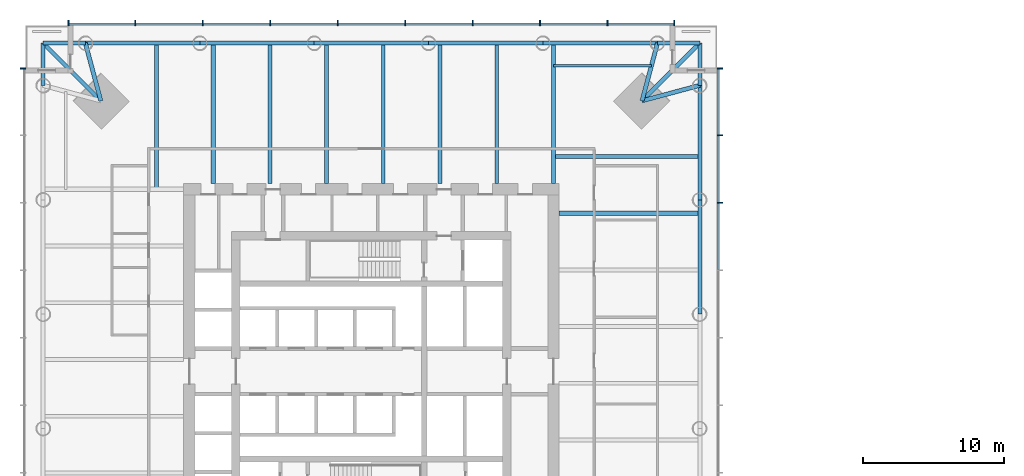
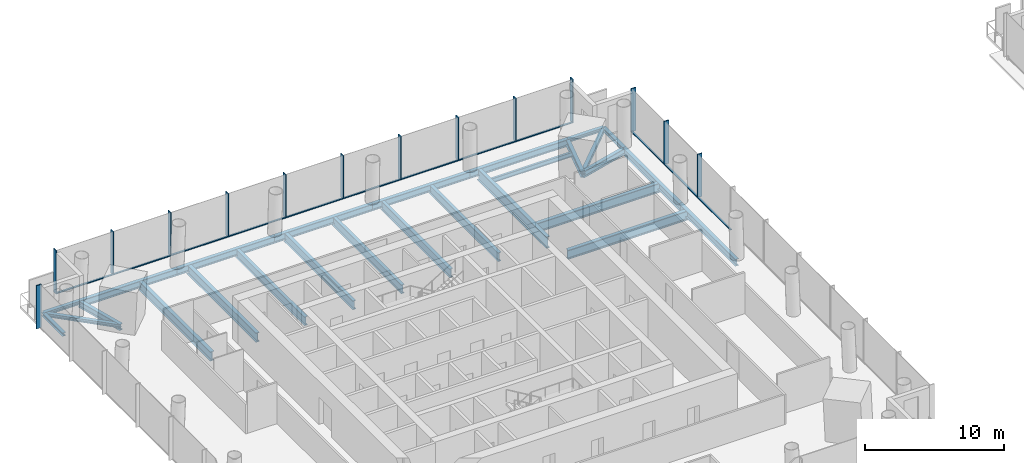
# One storey, part 4 of 21: 27 beams, 26 members, 3 elements without a shape of their own.
"""IFC4 building model written with IfcOpenShell, lengths in metres."""

from ifc_helpers import new_model, si_unit, direction, frame, origin, origin_2d, place, context, subcontext, project, spatial, rectangle, i_section, extrude, material, material_profile, profile_set, type_object, element, aggregate, save


model = new_model("IFC4")

# Units and contexts
model_context = context("Model", 3, precision=1e-05, world=origin(), true_north=direction((0.0, 1.0)))
body_context = subcontext(model_context, "Body", "Model", "MODEL_VIEW")
ifc_project = project(units=[si_unit("LENGTHUNIT", "METRE"), si_unit("AREAUNIT", "SQUARE_METRE"), si_unit("VOLUMEUNIT", "CUBIC_METRE"), si_unit("PLANEANGLEUNIT", "RADIAN"), si_unit("MASSUNIT", "GRAM", prefix="KILO")], contexts=[model_context])

# Site, building, storey
site_placement = place(None, origin())
site = spatial("IfcSite", under=ifc_project, at=site_placement, CompositionType="ELEMENT")
building_placement = place(site_placement, origin())
building = spatial("IfcBuilding", under=site, at=building_placement, Name="Ostroluk Exchange", CompositionType="ELEMENT")
storey_placement = place(building_placement, frame((0.0, 0.0, 43.800048828125)))
storey = spatial("IfcBuildingStorey", under=building, at=storey_placement, Name="L10", CompositionType="ELEMENT", Elevation=43.800048828125)

# Beams
ifc_material_1 = material(Name="Steel S355", Category="steel")
ifc_material_profile_1 = material_profile(ifc_material_1, i_section(OverallWidth=0.300048828125, OverallDepth=0.300048828125, WebThickness=0.010986328125, FlangeThickness=0.01904296875, FilletRadius=0.027099609375, at=origin_2d()), Name="HEB 300")
ifc_profile_set_1 = profile_set([ifc_material_profile_1], Name="Steel S355")
beam_type_1 = type_object("IfcBeamType", Name="Balcony beam HEB 300", PredefinedType="BEAM", material=ifc_profile_set_1)
for number, where, z_axis, x_axis, name in (
    (1, (68.271484375, 66.271484375, -0.330078125), (0.0, 1.0, 0.0), (-1.0, 0.0, 0.0), "T1 east balcony beam a"),
    (2, (65.271484375, 69.271484375, -0.330078125), (1.0, 0.0, 0.0), (0.0, 1.0, 0.0), "T1 east balcony beam b"),
):
    element("IfcBeam", number, at=place(storey_placement, frame(where, z_axis=z_axis, x_axis=x_axis)), inside=storey, type_object=beam_type_1, Name=name, PredefinedType="BEAM", context=body_context, shape_type="SweptSolid", body=[
        extrude(i_section(OverallWidth=0.300048828125, OverallDepth=0.300048828125, WebThickness=0.010986328125, FlangeThickness=0.01904296875, FilletRadius=0.027099609375, at=origin_2d()), origin(), (0.0, 0.0, 1.0), 3.0),
    ])
beam_1_placement = place(storey_placement, frame((64.17138671875, 65.17138671875, -0.330078125), z_axis=(0.707106781187, 0.707106781187, 0.0), x_axis=(-0.707106781187, 0.707106781187, 0.0)))
element("IfcBeam", 3, at=beam_1_placement, inside=storey, type_object=beam_type_1, Name="T1 east balcony beam c", PredefinedType="BEAM", context=body_context, shape_type="SweptSolid", body=[
    extrude(i_section(OverallWidth=0.300048828125, OverallDepth=0.300048828125, WebThickness=0.010986328125, FlangeThickness=0.01904296875, FilletRadius=0.027099609375, at=origin_2d()), origin(), (0.0, 0.0, 1.0), 5.79833984375),
])
for number, where, z_axis, x_axis, name in (
    (4, (24.728515625, 69.271484375, -0.330078125), (-1.0, 0.0, 0.0), (0.0, -1.0, 0.0), "T1 north balcony beam a"),
    (5, (21.728515625, 66.271484375, -0.330078125), (0.0, 1.0, 0.0), (-1.0, 0.0, 0.0), "T1 north balcony beam b"),
):
    element("IfcBeam", number, at=place(storey_placement, frame(where, z_axis=z_axis, x_axis=x_axis)), inside=storey, type_object=beam_type_1, Name=name, PredefinedType="BEAM", context=body_context, shape_type="SweptSolid", body=[
        extrude(i_section(OverallWidth=0.300048828125, OverallDepth=0.300048828125, WebThickness=0.010986328125, FlangeThickness=0.01904296875, FilletRadius=0.027099609375, at=origin_2d()), origin(), (0.0, 0.0, 1.0), 3.0),
    ])
beam_2_placement = place(storey_placement, frame((25.82861328125, 65.17138671875, -0.330078125), z_axis=(-0.707106781187, 0.707106781187, 0.0), x_axis=(-0.707106781187, -0.707106781187, 0.0)))
element("IfcBeam", 6, at=beam_2_placement, inside=storey, type_object=beam_type_1, Name="T1 north balcony beam c", PredefinedType="BEAM", context=body_context, shape_type="SweptSolid", body=[
    extrude(i_section(OverallWidth=0.300048828125, OverallDepth=0.300048828125, WebThickness=0.010986328125, FlangeThickness=0.01904296875, FilletRadius=0.027099609375, at=origin_2d()), origin(), (0.0, 0.0, 1.0), 5.79833984375),
])
ifc_material_2 = material(Name="Steel S355", Category="steel")
ifc_material_profile_2 = material_profile(ifc_material_2, i_section(OverallWidth=0.300048828125, OverallDepth=0.550048828125, WebThickness=0.014892578125, FlangeThickness=0.029052734375, FilletRadius=0.027099609375, at=origin_2d()), Name="HEB 550")
ifc_profile_set_2 = profile_set([ifc_material_profile_2], Name="Steel S355")
beam_type_2 = type_object("IfcBeamType", Name="Corner edge beam HEB 550", PredefinedType="SPANDREL", material=ifc_profile_set_2)
for number, where, z_axis, x_axis, name in (
    (7, (64.17138671875, 65.17138671875, -0.455078125), (0.965838624319, 0.259144268261, 0.0), (-0.259144268261, 0.965838624319, 0.0), "T1 east corner edge beam a"),
    (8, (64.17138671875, 65.17138671875, -0.455078125), (0.259144268261, 0.965838624319, 0.0), (-0.965838624319, 0.259144268261, 0.0), "T1 east corner edge beam b"),
    (9, (25.82861328125, 65.17138671875, -0.455078125), (-0.259144268261, 0.965838624319, 0.0), (-0.965838624319, -0.259144268261, 0.0), "T1 north corner edge beam a"),
):
    element("IfcBeam", number, at=place(storey_placement, frame(where, z_axis=z_axis, x_axis=x_axis)), inside=storey, type_object=beam_type_2, Name=name, PredefinedType="SPANDREL", context=body_context, shape_type="SweptSolid", body=[
        extrude(i_section(OverallWidth=0.300048828125, OverallDepth=0.550048828125, WebThickness=0.014892578125, FlangeThickness=0.029052734375, FilletRadius=0.027099609375, at=origin_2d()), origin(), (0.0, 0.0, 1.0), 4.2451171875),
    ])
ifc_material_3 = material(Name="Steel S355", Category="steel")
ifc_material_profile_3 = material_profile(ifc_material_3, i_section(OverallWidth=0.302978515625, OverallDepth=0.81396484375, WebThickness=0.02099609375, FlangeThickness=0.0400390625, FilletRadius=0.030029296875, at=origin_2d()), Name="HEM 800")
ifc_profile_set_3 = profile_set([ifc_material_profile_3], Name="Steel S355")
beam_type_3 = type_object("IfcBeamType", Name="Floor beam HEM 800", PredefinedType="BEAM", material=ifc_profile_set_3)
beam_3_placement = place(storey_placement, frame((58.300048828125, 57.21435546875, -0.587158203125), z_axis=(1.0, 0.0, 0.0), x_axis=(0.0, 1.0, 0.0)))
element("IfcBeam", 10, at=beam_3_placement, inside=storey, type_object=beam_type_3, Name="T1 east floor beam 6", PredefinedType="BEAM", context=body_context, shape_type="SweptSolid", body=[
    extrude(i_section(OverallWidth=0.302978515625, OverallDepth=0.81396484375, WebThickness=0.02099609375, FlangeThickness=0.0400390625, FilletRadius=0.030029296875, at=origin_2d()), origin(), (0.0, 0.0, 1.0), 9.971435546875),
])
beam_4_placement = place(storey_placement, frame((57.89990234375, 61.2333984375, -0.587158203125), z_axis=(1.0, 0.0, 0.0), x_axis=(0.0, 1.0, 0.0)))
element("IfcBeam", 11, at=beam_4_placement, inside=storey, type_object=beam_type_3, Name="T1 east floor beam 7", PredefinedType="BEAM", context=body_context, shape_type="SweptSolid", body=[
    extrude(i_section(OverallWidth=0.302978515625, OverallDepth=0.81396484375, WebThickness=0.02099609375, FlangeThickness=0.0400390625, FilletRadius=0.030029296875, at=origin_2d()), origin(), (0.0, 0.0, 1.0), 10.37158203125),
])
beam_5_placement = place(storey_placement, frame((33.78564453125, 59.300048828125, -0.587158203125), z_axis=(0.0, 1.0, 0.0), x_axis=(-1.0, 0.0, 0.0)))
element("IfcBeam", 12, at=beam_5_placement, inside=storey, type_object=beam_type_3, Name="T1 north floor beam 6", PredefinedType="BEAM", context=body_context, shape_type="SweptSolid", body=[
    extrude(i_section(OverallWidth=0.302978515625, OverallDepth=0.81396484375, WebThickness=0.02099609375, FlangeThickness=0.0400390625, FilletRadius=0.030029296875, at=origin_2d()), origin(), (0.0, 0.0, 1.0), 9.971435546875),
])
beam_6_placement = place(storey_placement, frame((29.7666015625, 58.89990234375, -0.587158203125), z_axis=(0.0, 1.0, 0.0), x_axis=(-1.0, 0.0, 0.0)))
element("IfcBeam", 13, at=beam_6_placement, inside=storey, type_object=beam_type_3, Name="T1 north floor beam 7", PredefinedType="BEAM", context=body_context, shape_type="SweptSolid", body=[
    extrude(i_section(OverallWidth=0.302978515625, OverallDepth=0.81396484375, WebThickness=0.02099609375, FlangeThickness=0.0400390625, FilletRadius=0.030029296875, at=origin_2d()), origin(), (0.0, 0.0, 1.0), 10.37158203125),
])
ifc_material_4 = material(Name="Steel S355", Category="steel")
ifc_material_profile_4 = material_profile(ifc_material_4, i_section(OverallWidth=0.179931640625, OverallDepth=0.39990234375, WebThickness=0.008544921875, FlangeThickness=0.013427734375, FilletRadius=0.02099609375, at=origin_2d()), Name="IPE 400")
ifc_profile_set_4 = profile_set([ifc_material_profile_4], Name="Steel S355")
beam_type_4 = type_object("IfcBeamType", Name="Floor beam IPE 400", PredefinedType="BEAM", material=ifc_profile_set_4)
beam_7_placement = place(storey_placement, frame((57.89990234375, 67.67138671875, -0.380126953125), z_axis=(1.0, 0.0, 0.0), x_axis=(0.0, 1.0, 0.0)))
element("IfcBeam", 14, at=beam_7_placement, inside=storey, type_object=beam_type_4, Name="T1 east floor beam 8", PredefinedType="BEAM", context=body_context, shape_type="SweptSolid", body=[
    extrude(i_section(OverallWidth=0.179931640625, OverallDepth=0.39990234375, WebThickness=0.008544921875, FlangeThickness=0.013427734375, FilletRadius=0.02099609375, at=origin_2d()), origin(), (0.0, 0.0, 1.0), 6.942138671875),
])
ifc_material_5 = material(Name="Steel S355", Category="steel")
ifc_material_profile_5 = material_profile(ifc_material_5, i_section(OverallWidth=0.26806640625, OverallDepth=0.77001953125, WebThickness=0.015625, FlangeThickness=0.025390625, FilletRadius=0.01708984375, at=origin_2d()), Name="IPE 750x196")
ifc_profile_set_5 = profile_set([ifc_material_profile_5], Name="Steel S355")
beam_type_5 = type_object("IfcBeamType", Name="Floor beam IPE 750x196", PredefinedType="BEAM", material=ifc_profile_set_5)
for number, where, z_axis, x_axis, name in (
    (15, (53.880859375, 59.300048828125, -0.56494140625), (0.0, 1.0, 0.0), (-1.0, 0.0, 0.0), "T1 north floor beam 1"),
    (16, (49.86181640625, 59.300048828125, -0.56494140625), (0.0, 1.0, 0.0), (-1.0, 0.0, 0.0), "T1 north floor beam 2"),
    (17, (45.8427734375, 59.300048828125, -0.56494140625), (0.0, 1.0, 0.0), (-1.0, 0.0, 0.0), "T1 north floor beam 3"),
    (18, (41.82373046875, 59.300048828125, -0.56494140625), (0.0, 1.0, 0.0), (-1.0, 0.0, 0.0), "T1 north floor beam 4"),
    (19, (37.8046875, 59.300048828125, -0.56494140625), (0.0, 1.0, 0.0), (-1.0, 0.0, 0.0), "T1 north floor beam 5"),
):
    element("IfcBeam", number, at=place(storey_placement, frame(where, z_axis=z_axis, x_axis=x_axis)), inside=storey, type_object=beam_type_5, Name=name, PredefinedType="BEAM", context=body_context, shape_type="SweptSolid", body=[
        extrude(i_section(OverallWidth=0.26806640625, OverallDepth=0.77001953125, WebThickness=0.015625, FlangeThickness=0.025390625, FilletRadius=0.01708984375, at=origin_2d()), origin(), (0.0, 0.0, 1.0), 9.971435546875),
    ])
ifc_material_6 = material(Name="Steel S355", Category="steel")
ifc_material_profile_6 = material_profile(ifc_material_6, i_section(OverallWidth=0.302001953125, OverallDepth=1.008056640625, WebThickness=0.02099609375, FlangeThickness=0.0400390625, FilletRadius=0.030029296875, at=origin_2d()), Name="HEM 1000")
ifc_profile_set_6 = profile_set([ifc_material_profile_6], Name="Steel S355")
beam_type_6 = type_object("IfcBeamType", Name="Girder HEM 1000", PredefinedType="BEAM", material=ifc_profile_set_6)
beam_8_placement = place(storey_placement, frame((57.89990234375, 59.300048828125, -0.68408203125), z_axis=(0.0, 1.0, 0.0), x_axis=(-1.0, 0.0, 0.0)))
element("IfcBeam", 20, at=beam_8_placement, inside=storey, type_object=beam_type_6, Name="T1 east girder", PredefinedType="BEAM", context=body_context, shape_type="SweptSolid", body=[
    extrude(i_section(OverallWidth=0.302001953125, OverallDepth=1.008056640625, WebThickness=0.02099609375, FlangeThickness=0.0400390625, FilletRadius=0.030029296875, at=origin_2d()), origin(), (0.0, 0.0, 1.0), 9.971435546875),
])
ifc_material_7 = material(Name="Steel S355", Category="steel")
ifc_material_profile_7 = material_profile(ifc_material_7, i_section(OverallWidth=0.300048828125, OverallDepth=0.60009765625, WebThickness=0.015380859375, FlangeThickness=0.030029296875, FilletRadius=0.027099609375, at=origin_2d()), Name="HEB 600")
ifc_profile_set_7 = profile_set([ifc_material_profile_7], Name="Steel S355")
beam_type_7 = type_object("IfcBeamType", Name="Moment-connected edge beam HEB 600", PredefinedType="SPANDREL", material=ifc_profile_set_7)
for number, where, z_axis, x_axis, name in (
    (21, (68.271484375, 50.05419921875, -0.47998046875), (0.0, 1.0, 0.0), (-1.0, 0.0, 0.0), "T1 east edge beam 4"),
    (22, (68.271484375, 58.162841796875, -0.47998046875), (0.0, 1.0, 0.0), (-1.0, 0.0, 0.0), "T1 east edge beam 5"),
    (23, (65.271484375, 69.271484375, -0.47998046875), (-1.0, 0.0, 0.0), (0.0, -1.0, 0.0), "T1 north edge beam 1"),
    (24, (57.162841796875, 69.271484375, -0.47998046875), (-1.0, 0.0, 0.0), (0.0, -1.0, 0.0), "T1 north edge beam 2"),
):
    element("IfcBeam", number, at=place(storey_placement, frame(where, z_axis=z_axis, x_axis=x_axis)), inside=storey, type_object=beam_type_7, Name=name, PredefinedType="SPANDREL", context=body_context, shape_type="SweptSolid", body=[
        extrude(i_section(OverallWidth=0.300048828125, OverallDepth=0.60009765625, WebThickness=0.015380859375, FlangeThickness=0.030029296875, FilletRadius=0.027099609375, at=origin_2d()), origin(), (0.0, 0.0, 1.0), 8.108642578125),
    ])
beam_9_placement = place(storey_placement, frame((49.05419921875, 69.271484375, -0.47998046875), z_axis=(-1.0, 0.0, 0.0), x_axis=(0.0, -1.0, 0.0)))
element("IfcBeam", 25, at=beam_9_placement, inside=storey, type_object=beam_type_7, Name="T1 north edge beam 3", PredefinedType="SPANDREL", context=body_context, shape_type="SweptSolid", body=[
    extrude(i_section(OverallWidth=0.300048828125, OverallDepth=0.60009765625, WebThickness=0.015380859375, FlangeThickness=0.030029296875, FilletRadius=0.027099609375, at=origin_2d()), origin(), (0.0, 0.0, 1.0), 8.1083984375),
])
for number, where, z_axis, x_axis, name in (
    (26, (40.94580078125, 69.271484375, -0.47998046875), (-1.0, 0.0, 0.0), (0.0, -1.0, 0.0), "T1 north edge beam 4"),
    (27, (32.837158203125, 69.271484375, -0.47998046875), (-1.0, 0.0, 0.0), (0.0, -1.0, 0.0), "T1 north edge beam 5"),
):
    element("IfcBeam", number, at=place(storey_placement, frame(where, z_axis=z_axis, x_axis=x_axis)), inside=storey, type_object=beam_type_7, Name=name, PredefinedType="SPANDREL", context=body_context, shape_type="SweptSolid", body=[
        extrude(i_section(OverallWidth=0.300048828125, OverallDepth=0.60009765625, WebThickness=0.015380859375, FlangeThickness=0.030029296875, FilletRadius=0.027099609375, at=origin_2d()), origin(), (0.0, 0.0, 1.0), 8.108642578125),
    ])

# Curtain wall, members
ifc_material_8 = material(Name="Laminated clear glass", Category="glass")
curtain_wall_type = type_object("IfcCurtainWallType", Name="Office tower facade", PredefinedType="USERDEFINED", material=ifc_material_8)
curtain_wall_1_placement = place(storey_placement, origin())
curtain_wall_1 = element("IfcCurtainWall", 28, at=curtain_wall_1_placement, inside=storey, type_object=curtain_wall_type, Name="Office tower east facade L10", ObjectType="UNITISED CURTAIN WALL", PredefinedType="USERDEFINED")
ifc_material_9 = material(Name="Aluminium mullion", Category="aluminium")
ifc_material_profile_8 = material_profile(ifc_material_9, rectangle(XDim=0.14990234375, YDim=0.080078125, at=origin_2d()), Name="Sill transom 80 x 150")
ifc_profile_set_8 = profile_set([ifc_material_profile_8], Name="Aluminium mullion")
member_type_1 = type_object("IfcMemberType", Name="Sill transom 80 x 150", PredefinedType="USERDEFINED", material=ifc_profile_set_8)
member_1_placement = place(storey_placement, frame((69.574951171875, 53.206787109375, 0.0400390625), z_axis=(0.0, 1.0, 0.0), x_axis=(-1.0, 0.0, 0.0)))
member_1 = element("IfcMember", 29, at=member_1_placement, type_object=member_type_1, Name="CW-O1 transom 7.1", ObjectType="TRANSOM", PredefinedType="USERDEFINED", context=body_context, shape_type="SweptSolid", body=[
    extrude(rectangle(XDim=0.14990234375, YDim=0.080078125, at=origin_2d()), origin(), (0.0, 0.0, 1.0), 4.69775390625),
])
member_2_placement = place(storey_placement, frame((69.574951171875, 57.984375, 0.0400390625), z_axis=(0.0, 1.0, 0.0), x_axis=(-1.0, 0.0, 0.0)))
member_2 = element("IfcMember", 30, at=member_2_placement, type_object=member_type_1, Name="CW-O1 transom 8.1", ObjectType="TRANSOM", PredefinedType="USERDEFINED", context=body_context, shape_type="SweptSolid", body=[
    extrude(rectangle(XDim=0.14990234375, YDim=0.080078125, at=origin_2d()), origin(), (0.0, 0.0, 1.0), 4.69775390625),
])
member_3_placement = place(storey_placement, frame((69.574951171875, 62.76220703125, 0.0400390625), z_axis=(0.0, 1.0, 0.0), x_axis=(-1.0, 0.0, 0.0)))
member_3 = element("IfcMember", 31, at=member_3_placement, type_object=member_type_1, Name="CW-O1 transom 9.1", ObjectType="TRANSOM", PredefinedType="USERDEFINED", context=body_context, shape_type="SweptSolid", body=[
    extrude(rectangle(XDim=0.14990234375, YDim=0.080078125, at=origin_2d()), origin(), (0.0, 0.0, 1.0), 4.65771484375),
])

curtain_wall_2_placement = place(storey_placement, origin())
curtain_wall_2 = element("IfcCurtainWall", 32, at=curtain_wall_2_placement, inside=storey, type_object=curtain_wall_type, Name="Office tower north facade L10", ObjectType="UNITISED CURTAIN WALL", PredefinedType="USERDEFINED")
member_4_placement = place(storey_placement, frame((66.419921875, 70.574951171875, 0.0400390625), z_axis=(-1.0, 0.0, 0.0), x_axis=(0.0, -1.0, 0.0)))
member_4 = element("IfcMember", 33, at=member_4_placement, type_object=member_type_1, Name="CW-O1 transom 1.1", ObjectType="TRANSOM", PredefinedType="USERDEFINED", context=body_context, shape_type="SweptSolid", body=[
    extrude(rectangle(XDim=0.14990234375, YDim=0.080078125, at=origin_2d()), origin(), (0.0, 0.0, 1.0), 4.65771484375),
])
member_5_placement = place(storey_placement, frame((61.68212890625, 70.574951171875, 0.0400390625), z_axis=(-1.0, 0.0, 0.0), x_axis=(0.0, -1.0, 0.0)))
member_5 = element("IfcMember", 34, at=member_5_placement, type_object=member_type_1, Name="CW-O1 transom 2.1", ObjectType="TRANSOM", PredefinedType="USERDEFINED", context=body_context, shape_type="SweptSolid", body=[
    extrude(rectangle(XDim=0.14990234375, YDim=0.080078125, at=origin_2d()), origin(), (0.0, 0.0, 1.0), 4.69775390625),
])
member_6_placement = place(storey_placement, frame((56.904541015625, 70.574951171875, 0.0400390625), z_axis=(-1.0, 0.0, 0.0), x_axis=(0.0, -1.0, 0.0)))
member_6 = element("IfcMember", 35, at=member_6_placement, type_object=member_type_1, Name="CW-O1 transom 3.1", ObjectType="TRANSOM", PredefinedType="USERDEFINED", context=body_context, shape_type="SweptSolid", body=[
    extrude(rectangle(XDim=0.14990234375, YDim=0.080078125, at=origin_2d()), origin(), (0.0, 0.0, 1.0), 4.69775390625),
])
member_7_placement = place(storey_placement, frame((52.126708984375, 70.574951171875, 0.0400390625), z_axis=(-1.0, 0.0, 0.0), x_axis=(0.0, -1.0, 0.0)))
member_7 = element("IfcMember", 36, at=member_7_placement, type_object=member_type_1, Name="CW-O1 transom 4.1", ObjectType="TRANSOM", PredefinedType="USERDEFINED", context=body_context, shape_type="SweptSolid", body=[
    extrude(rectangle(XDim=0.14990234375, YDim=0.080078125, at=origin_2d()), origin(), (0.0, 0.0, 1.0), 4.69775390625),
])
member_8_placement = place(storey_placement, frame((47.348876953125, 70.574951171875, 0.0400390625), z_axis=(-1.0, 0.0, 0.0), x_axis=(0.0, -1.0, 0.0)))
member_8 = element("IfcMember", 37, at=member_8_placement, type_object=member_type_1, Name="CW-O1 transom 5.1", ObjectType="TRANSOM", PredefinedType="USERDEFINED", context=body_context, shape_type="SweptSolid", body=[
    extrude(rectangle(XDim=0.14990234375, YDim=0.080078125, at=origin_2d()), origin(), (0.0, 0.0, 1.0), 4.69775390625),
])
member_9_placement = place(storey_placement, frame((42.571044921875, 70.574951171875, 0.0400390625), z_axis=(-1.0, 0.0, 0.0), x_axis=(0.0, -1.0, 0.0)))
member_9 = element("IfcMember", 38, at=member_9_placement, type_object=member_type_1, Name="CW-O1 transom 6.1", ObjectType="TRANSOM", PredefinedType="USERDEFINED", context=body_context, shape_type="SweptSolid", body=[
    extrude(rectangle(XDim=0.14990234375, YDim=0.080078125, at=origin_2d()), origin(), (0.0, 0.0, 1.0), 4.69775390625),
])
member_10_placement = place(storey_placement, frame((37.793212890625, 70.574951171875, 0.0400390625), z_axis=(-1.0, 0.0, 0.0), x_axis=(0.0, -1.0, 0.0)))
member_10 = element("IfcMember", 39, at=member_10_placement, type_object=member_type_1, Name="CW-O1 transom 7.1", ObjectType="TRANSOM", PredefinedType="USERDEFINED", context=body_context, shape_type="SweptSolid", body=[
    extrude(rectangle(XDim=0.14990234375, YDim=0.080078125, at=origin_2d()), origin(), (0.0, 0.0, 1.0), 4.69775390625),
])
member_11_placement = place(storey_placement, frame((33.015625, 70.574951171875, 0.0400390625), z_axis=(-1.0, 0.0, 0.0), x_axis=(0.0, -1.0, 0.0)))
member_11 = element("IfcMember", 40, at=member_11_placement, type_object=member_type_1, Name="CW-O1 transom 8.1", ObjectType="TRANSOM", PredefinedType="USERDEFINED", context=body_context, shape_type="SweptSolid", body=[
    extrude(rectangle(XDim=0.14990234375, YDim=0.080078125, at=origin_2d()), origin(), (0.0, 0.0, 1.0), 4.69775390625),
])
member_12_placement = place(storey_placement, frame((28.23779296875, 70.574951171875, 0.0400390625), z_axis=(-1.0, 0.0, 0.0), x_axis=(0.0, -1.0, 0.0)))
member_12 = element("IfcMember", 41, at=member_12_placement, type_object=member_type_1, Name="CW-O1 transom 9.1", ObjectType="TRANSOM", PredefinedType="USERDEFINED", context=body_context, shape_type="SweptSolid", body=[
    extrude(rectangle(XDim=0.14990234375, YDim=0.080078125, at=origin_2d()), origin(), (0.0, 0.0, 1.0), 4.65771484375),
])

# Member
ifc_material_10 = material(Name="Aluminium mullion with limestone facing", Category="masonry")
ifc_material_profile_9 = material_profile(ifc_material_10, rectangle(XDim=0.39990234375, YDim=0.080078125, at=origin_2d()), Name="Tracery mullion 80 x 400")
ifc_profile_set_9 = profile_set([ifc_material_profile_9], Name="Aluminium mullion with limestone facing")
member_type_2 = type_object("IfcMemberType", Name="Tracery mullion 80 x 400", PredefinedType="MULLION", material=ifc_profile_set_9)
member_13_placement = place(storey_placement, frame((69.699951171875, 57.9443359375, 0.0), z_axis=(0.0, 0.0, 1.0), x_axis=(-1.0, 0.0, 0.0)))
member_13 = element("IfcMember", 42, at=member_13_placement, type_object=member_type_2, Name="CW-O1 mullion 8", PredefinedType="MULLION", context=body_context, shape_type="SweptSolid", body=[
    extrude(rectangle(XDim=0.39990234375, YDim=0.080078125, at=origin_2d()), origin(), (0.0, 0.0, 1.0), 3.800048828125),
])

member_14_placement = place(storey_placement, frame((69.699951171875, 62.72216796875, 0.0), z_axis=(0.0, 0.0, 1.0), x_axis=(-1.0, 0.0, 0.0)))
member_14 = element("IfcMember", 43, at=member_14_placement, type_object=member_type_2, Name="CW-O1 mullion 9", PredefinedType="MULLION", context=body_context, shape_type="SweptSolid", body=[
    extrude(rectangle(XDim=0.39990234375, YDim=0.080078125, at=origin_2d()), origin(), (0.0, 0.0, 1.0), 3.800048828125),
])

member_15_placement = place(storey_placement, frame((69.699951171875, 67.4599609375, 0.0), z_axis=(0.0, 0.0, 1.0), x_axis=(-1.0, 0.0, 0.0)))
member_15 = element("IfcMember", 44, at=member_15_placement, type_object=member_type_2, Name="CW-O1 mullion 10", PredefinedType="MULLION", context=body_context, shape_type="SweptSolid", body=[
    extrude(rectangle(XDim=0.39990234375, YDim=0.080078125, at=origin_2d()), origin(), (0.0, 0.0, 1.0), 3.800048828125),
])

aggregate(curtain_wall_1, [member_13, member_14, member_15, member_1, member_2, member_3])

member_16_placement = place(storey_placement, frame((66.4599609375, 70.699951171875, 0.0), z_axis=(0.0, 0.0, 1.0), x_axis=(0.0, -1.0, 0.0)))
member_16 = element("IfcMember", 45, at=member_16_placement, type_object=member_type_2, Name="CW-O1 mullion 1", PredefinedType="MULLION", context=body_context, shape_type="SweptSolid", body=[
    extrude(rectangle(XDim=0.39990234375, YDim=0.080078125, at=origin_2d()), origin(), (0.0, 0.0, 1.0), 3.800048828125),
])

member_17_placement = place(storey_placement, frame((61.72216796875, 70.699951171875, 0.0), z_axis=(0.0, 0.0, 1.0), x_axis=(0.0, -1.0, 0.0)))
member_17 = element("IfcMember", 46, at=member_17_placement, type_object=member_type_2, Name="CW-O1 mullion 2", PredefinedType="MULLION", context=body_context, shape_type="SweptSolid", body=[
    extrude(rectangle(XDim=0.39990234375, YDim=0.080078125, at=origin_2d()), origin(), (0.0, 0.0, 1.0), 3.800048828125),
])

member_18_placement = place(storey_placement, frame((56.9443359375, 70.699951171875, 0.0), z_axis=(0.0, 0.0, 1.0), x_axis=(0.0, -1.0, 0.0)))
member_18 = element("IfcMember", 47, at=member_18_placement, type_object=member_type_2, Name="CW-O1 mullion 3", PredefinedType="MULLION", context=body_context, shape_type="SweptSolid", body=[
    extrude(rectangle(XDim=0.39990234375, YDim=0.080078125, at=origin_2d()), origin(), (0.0, 0.0, 1.0), 3.800048828125),
])

member_19_placement = place(storey_placement, frame((52.166748046875, 70.699951171875, 0.0), z_axis=(0.0, 0.0, 1.0), x_axis=(0.0, -1.0, 0.0)))
member_19 = element("IfcMember", 48, at=member_19_placement, type_object=member_type_2, Name="CW-O1 mullion 4", PredefinedType="MULLION", context=body_context, shape_type="SweptSolid", body=[
    extrude(rectangle(XDim=0.39990234375, YDim=0.080078125, at=origin_2d()), origin(), (0.0, 0.0, 1.0), 3.800048828125),
])

member_20_placement = place(storey_placement, frame((47.388916015625, 70.699951171875, 0.0), z_axis=(0.0, 0.0, 1.0), x_axis=(0.0, -1.0, 0.0)))
member_20 = element("IfcMember", 49, at=member_20_placement, type_object=member_type_2, Name="CW-O1 mullion 5", PredefinedType="MULLION", context=body_context, shape_type="SweptSolid", body=[
    extrude(rectangle(XDim=0.39990234375, YDim=0.080078125, at=origin_2d()), origin(), (0.0, 0.0, 1.0), 3.800048828125),
])

member_21_placement = place(storey_placement, frame((42.611083984375, 70.699951171875, 0.0), z_axis=(0.0, 0.0, 1.0), x_axis=(0.0, -1.0, 0.0)))
member_21 = element("IfcMember", 50, at=member_21_placement, type_object=member_type_2, Name="CW-O1 mullion 6", PredefinedType="MULLION", context=body_context, shape_type="SweptSolid", body=[
    extrude(rectangle(XDim=0.39990234375, YDim=0.080078125, at=origin_2d()), origin(), (0.0, 0.0, 1.0), 3.800048828125),
])

member_22_placement = place(storey_placement, frame((37.833251953125, 70.699951171875, 0.0), z_axis=(0.0, 0.0, 1.0), x_axis=(0.0, -1.0, 0.0)))
member_22 = element("IfcMember", 51, at=member_22_placement, type_object=member_type_2, Name="CW-O1 mullion 7", PredefinedType="MULLION", context=body_context, shape_type="SweptSolid", body=[
    extrude(rectangle(XDim=0.39990234375, YDim=0.080078125, at=origin_2d()), origin(), (0.0, 0.0, 1.0), 3.800048828125),
])

member_23_placement = place(storey_placement, frame((33.0556640625, 70.699951171875, 0.0), z_axis=(0.0, 0.0, 1.0), x_axis=(0.0, -1.0, 0.0)))
member_23 = element("IfcMember", 52, at=member_23_placement, type_object=member_type_2, Name="CW-O1 mullion 8", PredefinedType="MULLION", context=body_context, shape_type="SweptSolid", body=[
    extrude(rectangle(XDim=0.39990234375, YDim=0.080078125, at=origin_2d()), origin(), (0.0, 0.0, 1.0), 3.800048828125),
])

member_24_placement = place(storey_placement, frame((28.27783203125, 70.699951171875, 0.0), z_axis=(0.0, 0.0, 1.0), x_axis=(0.0, -1.0, 0.0)))
member_24 = element("IfcMember", 53, at=member_24_placement, type_object=member_type_2, Name="CW-O1 mullion 9", PredefinedType="MULLION", context=body_context, shape_type="SweptSolid", body=[
    extrude(rectangle(XDim=0.39990234375, YDim=0.080078125, at=origin_2d()), origin(), (0.0, 0.0, 1.0), 3.800048828125),
])

member_25_placement = place(storey_placement, frame((23.5400390625, 70.699951171875, 0.0), z_axis=(0.0, 0.0, 1.0), x_axis=(0.0, -1.0, 0.0)))
member_25 = element("IfcMember", 54, at=member_25_placement, type_object=member_type_2, Name="CW-O1 mullion 10", PredefinedType="MULLION", context=body_context, shape_type="SweptSolid", body=[
    extrude(rectangle(XDim=0.39990234375, YDim=0.080078125, at=origin_2d()), origin(), (0.0, 0.0, 1.0), 3.800048828125),
])

aggregate(curtain_wall_2, [member_16, member_17, member_18, member_19, member_20, member_21, member_22, member_23, member_24, member_25, member_4, member_5, member_6, member_7, member_8, member_9, member_10, member_11, member_12])

# Curtain wall, member
curtain_wall_3_placement = place(storey_placement, origin())
curtain_wall_3 = element("IfcCurtainWall", 55, at=curtain_wall_3_placement, inside=storey, type_object=curtain_wall_type, Name="Office tower west facade L10", ObjectType="UNITISED CURTAIN WALL", PredefinedType="USERDEFINED")
member_26_placement = place(storey_placement, frame((20.300048828125, 67.4599609375, 0.0), z_axis=(0.0, 0.0, 1.0), x_axis=(1.0, 0.0, 0.0)))
member_26 = element("IfcMember", 56, at=member_26_placement, type_object=member_type_2, Name="CW-O1 mullion 1", PredefinedType="MULLION", context=body_context, shape_type="SweptSolid", body=[
    extrude(rectangle(XDim=0.39990234375, YDim=0.080078125, at=origin_2d()), origin(), (0.0, 0.0, 1.0), 3.800048828125),
])
aggregate(curtain_wall_3, [member_26])

save(model, "model.ifc")
